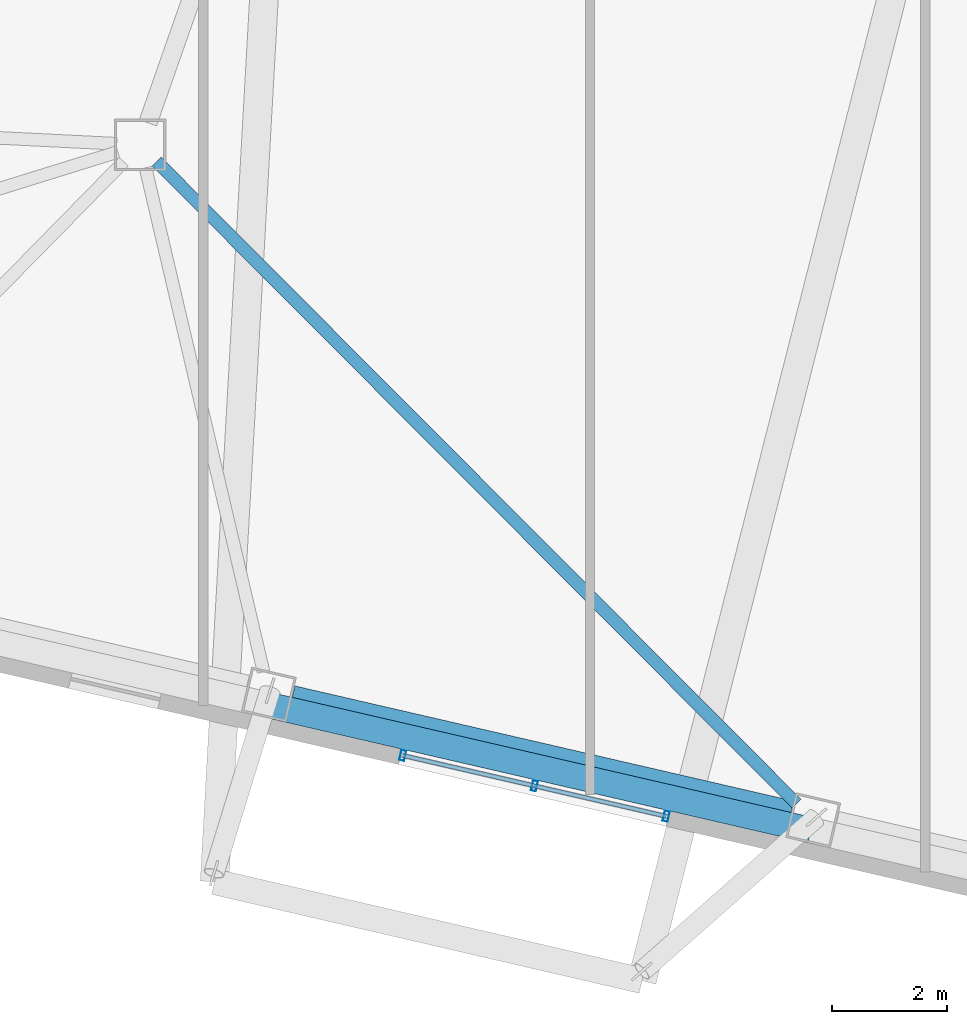
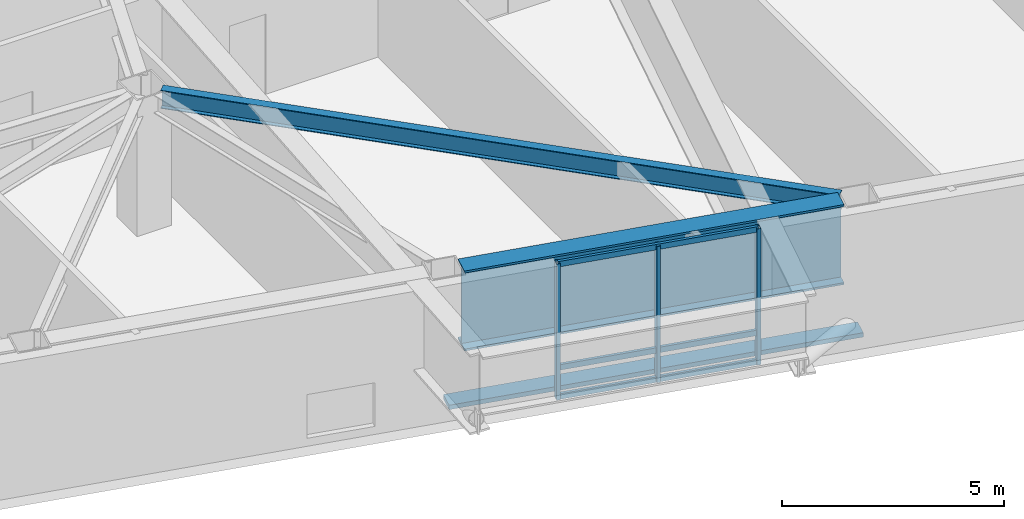
# One storey, part 2 of 20: 7 members, 2 beams, 1 element without a shape of its own.
"""IFC4 building model written with IfcOpenShell, lengths in metres."""

from ifc_helpers import new_model, si_unit, direction, frame, origin, origin_2d, place, context, subcontext, project, spatial, rectangle, hollow_rectangle, i_section, extrude, material, layer, layer_set, material_profile, profile_set, type_object, element, aggregate, save


model = new_model("IFC4")

# Units and contexts
model_context = context("Model", 3, precision=1e-05, world=origin(), true_north=direction((0.0, 1.0)))
body_context = subcontext(model_context, "Body", "Model", "MODEL_VIEW")
ifc_project = project(units=[si_unit("LENGTHUNIT", "METRE"), si_unit("AREAUNIT", "SQUARE_METRE"), si_unit("VOLUMEUNIT", "CUBIC_METRE"), si_unit("PLANEANGLEUNIT", "RADIAN"), si_unit("MASSUNIT", "GRAM", prefix="KILO")], contexts=[model_context])

# Site, building, storey
site_placement = place(None, origin())
site = spatial("IfcSite", under=ifc_project, at=site_placement, CompositionType="ELEMENT")
building_placement = place(site_placement, origin())
building = spatial("IfcBuilding", under=site, at=building_placement, Name="Tavrogorsk Clinical Tower", CompositionType="ELEMENT")
storey_placement = place(building_placement, frame((0.0, 0.0, 39.39990234375)))
storey = spatial("IfcBuildingStorey", under=building, at=storey_placement, Name="L07", CompositionType="ELEMENT", Elevation=39.39990234375)

# Member
ifc_material_1 = material(Name="Anodised aluminium alloy AW-6063", Category="aluminium")
ifc_material_profile_1 = material_profile(ifc_material_1, rectangle(XDim=0.449951171875, YDim=0.1201171875, at=origin_2d()), Name="ALU-SUNSHADE-450x120")
ifc_profile_set_1 = profile_set([ifc_material_profile_1], Name="Anodised aluminium alloy AW-6063")
member_type_1 = type_object("IfcMemberType", Name="ChicagoSunshade_450x120", PredefinedType="USERDEFINED", material=ifc_profile_set_1)
member_1_placement = place(storey_placement, frame((-22.29443359375, -22.96728515625, 0.18017578125), z_axis=(0.97437219846, -0.224941812182, 0.0), x_axis=(0.224941812182, 0.97437219846, 0.0)))
element("IfcMember", 1, at=member_1_placement, inside=storey, type_object=member_type_1, Name="L07 South Aluminium Sunshade S3", ObjectType="SUNSHADE", PredefinedType="USERDEFINED", context=body_context, shape_type="SweptSolid", body=[
    extrude(rectangle(XDim=0.449951171875, YDim=0.1201171875, at=origin_2d()), origin(), (0.0, 0.0, 1.0), 9.74853515625),
])

# Curtain wall, members
ifc_material_2 = material(Name="Anodised aluminium and triple IGU glazing", Category="aluminium")
ifc_layer = layer(ifc_material_2, 0.179931640625)
ifc_layer_set = layer_set([ifc_layer], Name="Anodised aluminium and triple IGU glazing")
curtain_wall_type = type_object("IfcCurtainWallType", Name="CW3_SouthSlot", PredefinedType="NOTDEFINED", material=ifc_layer_set)
curtain_wall_placement = place(storey_placement, origin())
curtain_wall = element("IfcCurtainWall", 2, at=curtain_wall_placement, inside=storey, type_object=curtain_wall_type, Name="L07 Curtain Wall CW-L07-S-SLOT-1", PredefinedType="NOTDEFINED")
ifc_material_3 = material(Name="Anodised aluminium alloy AW-6060", Category="aluminium")
ifc_material_profile_2 = material_profile(ifc_material_3, hollow_rectangle(XDim=0.090087890625, YDim=0.179931640625, WallThickness=0.00634765625, at=origin_2d()), Name="RHS-180x90x6.3")
ifc_profile_set_2 = profile_set([ifc_material_profile_2], Name="Anodised aluminium alloy AW-6060")
member_type_2 = type_object("IfcMemberType", Name="CwMullion_180x90", PredefinedType="MULLION", material=ifc_profile_set_2)
member_2_placement = place(storey_placement, frame((-19.917724609375, -23.8544921875, 0.0), z_axis=(0.0, 0.0, 1.0), x_axis=(0.974370046851, -0.224951132027, 0.0)))
member_2 = element("IfcMember", 3, at=member_2_placement, type_object=member_type_2, Name="CW-L07-S-SLOT-1 Mullion 1", PredefinedType="MULLION", context=body_context, shape_type="SweptSolid", body=[
    extrude(hollow_rectangle(XDim=0.090087890625, YDim=0.179931640625, WallThickness=0.00634765625, at=origin_2d()), origin(), (0.0, 0.0, 1.0), 3.739990234375),
])
member_3_placement = place(storey_placement, frame((-17.619384765625, -24.38525390625, 0.0), z_axis=(0.0, 0.0, 1.0), x_axis=(0.974370046851, -0.224951132027, 0.0)))
member_3 = element("IfcMember", 4, at=member_3_placement, type_object=member_type_2, Name="CW-L07-S-SLOT-1 Mullion 2", PredefinedType="MULLION", context=body_context, shape_type="SweptSolid", body=[
    extrude(hollow_rectangle(XDim=0.090087890625, YDim=0.179931640625, WallThickness=0.00634765625, at=origin_2d()), origin(), (0.0, 0.0, 1.0), 3.739990234375),
])
member_4_placement = place(storey_placement, frame((-15.32080078125, -24.916015625, 0.0), z_axis=(0.0, 0.0, 1.0), x_axis=(0.974370046851, -0.224951132027, 0.0)))
member_4 = element("IfcMember", 5, at=member_4_placement, type_object=member_type_2, Name="CW-L07-S-SLOT-1 Mullion 3", PredefinedType="MULLION", context=body_context, shape_type="SweptSolid", body=[
    extrude(hollow_rectangle(XDim=0.090087890625, YDim=0.179931640625, WallThickness=0.00634765625, at=origin_2d()), origin(), (0.0, 0.0, 1.0), 3.739990234375),
])
ifc_material_4 = material(Name="Anodised aluminium alloy AW-6060", Category="aluminium")
ifc_material_profile_3 = material_profile(ifc_material_4, hollow_rectangle(XDim=0.074951171875, YDim=0.14990234375, WallThickness=0.0048828125, at=origin_2d()), Name="RHS-150x75x5")
ifc_profile_set_3 = profile_set([ifc_material_profile_3], Name="Anodised aluminium alloy AW-6060")
member_type_3 = type_object("IfcMemberType", Name="CwTransom_150x75", PredefinedType="USERDEFINED", material=ifc_profile_set_3)
member_5_placement = place(storey_placement, frame((-19.917724609375, -23.8544921875, 0.050048828125), z_axis=(0.974358915979, -0.224999339672, 0.0), x_axis=(0.224999339672, 0.974358915979, 0.0)))
member_5 = element("IfcMember", 6, at=member_5_placement, type_object=member_type_3, Name="CW-L07-S-SLOT-1 Transom 1", ObjectType="TRANSOM", PredefinedType="USERDEFINED", context=body_context, shape_type="SweptSolid", body=[
    extrude(hollow_rectangle(XDim=0.074951171875, YDim=0.14990234375, WallThickness=0.0048828125, at=origin_2d()), origin(), (0.0, 0.0, 1.0), 4.718017578125),
])
member_6_placement = place(storey_placement, frame((-19.917724609375, -23.8544921875, 0.85009765625), z_axis=(0.974358915979, -0.224999339672, 0.0), x_axis=(0.224999339672, 0.974358915979, 0.0)))
member_6 = element("IfcMember", 7, at=member_6_placement, type_object=member_type_3, Name="CW-L07-S-SLOT-1 Transom 2", ObjectType="TRANSOM", PredefinedType="USERDEFINED", context=body_context, shape_type="SweptSolid", body=[
    extrude(hollow_rectangle(XDim=0.074951171875, YDim=0.14990234375, WallThickness=0.0048828125, at=origin_2d()), origin(), (0.0, 0.0, 1.0), 4.718017578125),
])
member_7_placement = place(storey_placement, frame((-19.917724609375, -23.8544921875, 3.690185546875), z_axis=(0.974358915979, -0.224999339672, 0.0), x_axis=(0.224999339672, 0.974358915979, 0.0)))
member_7 = element("IfcMember", 8, at=member_7_placement, type_object=member_type_3, Name="CW-L07-S-SLOT-1 Transom 3", ObjectType="TRANSOM", PredefinedType="USERDEFINED", context=body_context, shape_type="SweptSolid", body=[
    extrude(hollow_rectangle(XDim=0.074951171875, YDim=0.14990234375, WallThickness=0.0048828125, at=origin_2d()), origin(), (0.0, 0.0, 1.0), 4.718017578125),
])
aggregate(curtain_wall, [member_2, member_3, member_4, member_5, member_6, member_7])

# Beams
ifc_material_5 = material(Name="Structural steel S355", Category="steel")
ifc_material_profile_4 = material_profile(ifc_material_5, i_section(OverallWidth=0.219970703125, OverallDepth=0.5, WebThickness=0.012939453125, FlangeThickness=0.02001953125, at=origin_2d()), Name="B-500x220x13x20")
ifc_profile_set_4 = profile_set([ifc_material_profile_4], Name="Structural steel S355")
beam_type_1 = type_object("IfcBeamType", Name="FloorBeam_B500", PredefinedType="BEAM", material=ifc_profile_set_4)
beam_1_placement = place(storey_placement, frame((-24.210693359375, -13.490478515625, 3.489990234375), z_axis=(0.705909757155, -0.70830178226, 0.0), x_axis=(0.70830178226, 0.705909757155, 0.0)))
element("IfcBeam", 9, at=beam_1_placement, inside=storey, type_object=beam_type_1, Name="L07 Radial Floor Beam S4", PredefinedType="BEAM", context=body_context, shape_type="SweptSolid", body=[
    extrude(i_section(OverallWidth=0.219970703125, OverallDepth=0.5, WebThickness=0.012939453125, FlangeThickness=0.02001953125, at=origin_2d()), origin(), (0.0, 0.0, 1.0), 15.820068359375),
])
ifc_material_6 = material(Name="Structural steel S440", Category="steel")
ifc_material_profile_5 = material_profile(ifc_material_6, i_section(OverallWidth=0.5, OverallDepth=2.199951171875, WebThickness=0.035888671875, FlangeThickness=0.054931640625, at=origin_2d()), Name="DK-2200x500x36x55")
ifc_profile_set_5 = profile_set([ifc_material_profile_5], Name="Structural steel S440")
beam_type_2 = type_object("IfcBeamType", Name="TransferGirder_DK2200", PredefinedType="USERDEFINED", material=ifc_profile_set_5)
beam_2_placement = place(storey_placement, frame((-21.8564453125, -22.8837890625, 2.64013671875), z_axis=(0.974372766602, -0.224939351168, 0.0), x_axis=(0.224939351168, 0.974372766602, 0.0)))
element("IfcBeam", 10, at=beam_2_placement, inside=storey, type_object=beam_type_2, Name="L07 Perimeter Spandrel S3-S4", ObjectType="GIRDER", PredefinedType="USERDEFINED", context=body_context, shape_type="SweptSolid", body=[
    extrude(i_section(OverallWidth=0.5, OverallDepth=2.199951171875, WebThickness=0.035888671875, FlangeThickness=0.054931640625, at=origin_2d()), origin(), (0.0, 0.0, 1.0), 8.9326171875),
])

save(model, "model.ifc")
